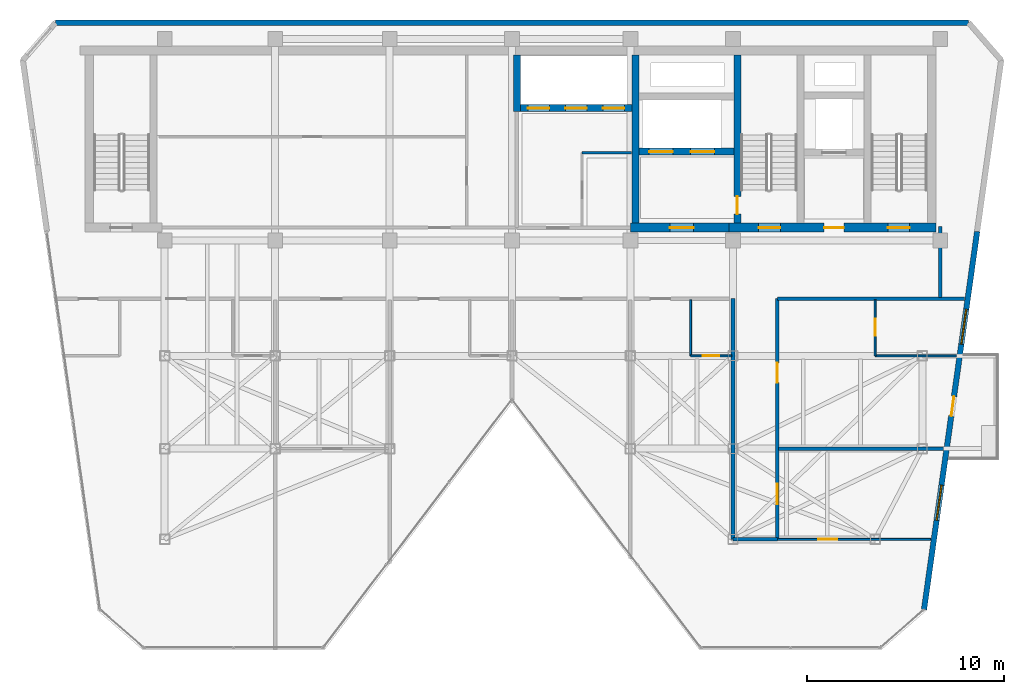
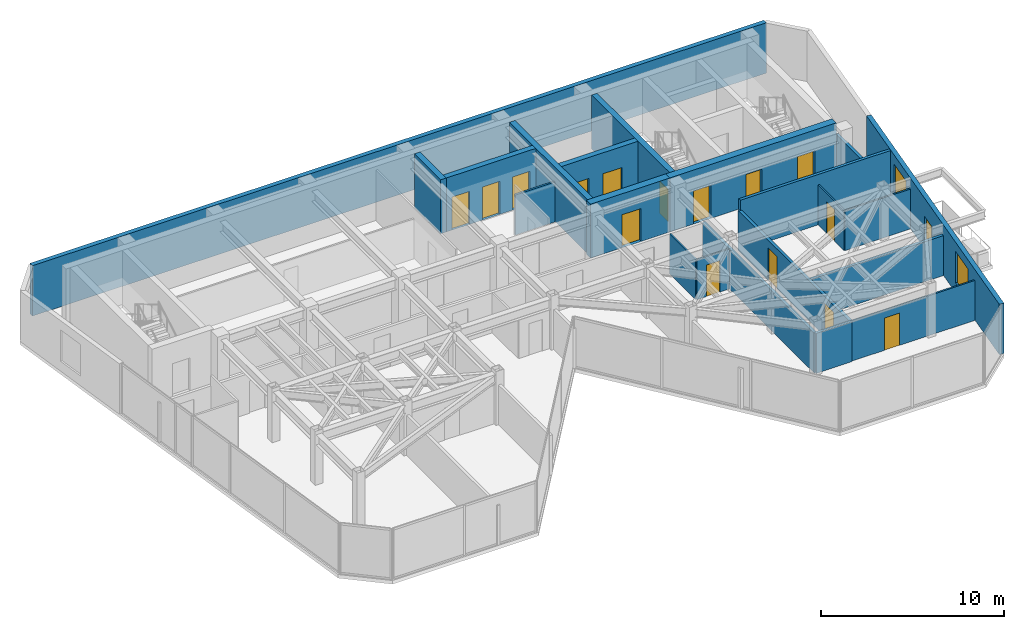
# One storey, part 17 of 20: 21 walls, 16 doors, 2 windows, 18 openings.
"""IFC4 building model written with IfcOpenShell, lengths in metres."""

from ifc_helpers import new_model, si_unit, direction, frame, frame_2d, origin, place, context, subcontext, project, spatial, rectangle, extrude, material, layer, layer_set, type_object, element, fill, save


model = new_model("IFC4")

# Units and contexts
model_context = context("Model", 3, precision=1e-05, world=origin(), true_north=direction((0.0, 1.0)))
body_context = subcontext(model_context, "Body", "Model", "MODEL_VIEW")
ifc_project = project(units=[si_unit("LENGTHUNIT", "METRE"), si_unit("AREAUNIT", "SQUARE_METRE"), si_unit("VOLUMEUNIT", "CUBIC_METRE"), si_unit("PLANEANGLEUNIT", "RADIAN"), si_unit("MASSUNIT", "GRAM", prefix="KILO")], contexts=[model_context])

# Site, building, storey
site_placement = place(None, origin())
site = spatial("IfcSite", under=ifc_project, at=site_placement, CompositionType="ELEMENT")
building_placement = place(site_placement, origin())
building = spatial("IfcBuilding", under=site, at=building_placement, Name="Kravanh Interchange Tower", CompositionType="ELEMENT")
storey_placement = place(building_placement, frame((0.0, 0.0, 234.60009765625)))
storey = spatial("IfcBuildingStorey", under=building, at=storey_placement, Name="L56", CompositionType="ELEMENT", Elevation=234.60009765625)

# Wall
ifc_material_1 = material(Name="Double Acoustic Gypsum Board and Mineral Wool")
ifc_layer_1 = layer(ifc_material_1, 0.1201171875)
ifc_layer_set_1 = layer_set([ifc_layer_1], Name="Acoustic Office Drywall Partition 120mm")
wall_type_1 = type_object("IfcWallType", Name="Acoustic Office Drywall Partition 120mm", PredefinedType="PARTITIONING", material=ifc_layer_set_1)
wall_1_placement = place(storey_placement, frame((48.35009765625, 41.800048828125, 0.0), z_axis=(0.0, 0.0, 1.0), x_axis=(1.0, 0.0, 0.0)))
element("IfcWall", 1, at=wall_1_placement, inside=storey, type_object=wall_type_1, Name="L56 Interior Partition 3", PredefinedType="PARTITIONING", context=body_context, shape_type="SweptSolid", body=[
    extrude(rectangle(XDim=2.5, YDim=0.1201171875, at=frame_2d((1.25, 0.0))), origin(), (0.0, 0.0, 1.0), 2.663818359375),
])

# Wall, opening, door
ifc_material_2 = material(Name="Concrete C60/75", Category="concrete")
ifc_layer_2 = layer(ifc_material_2, 0.35009765625)
ifc_layer_set_2 = layer_set([ifc_layer_2], Name="Core Shear Wall Concrete C60/75 350mm")
wall_type_2 = type_object("IfcWallType", Name="Core Shear Wall Concrete C60/75 350mm", PredefinedType="SHEAR", material=ifc_layer_set_2)
wall_2_placement = place(storey_placement, frame((56.22509765625, 38.22509765625, 0.0), z_axis=(0.0, 0.0, 1.0), x_axis=(0.0, 1.0, 0.0)))
wall_2 = element("IfcWall", 2, at=wall_2_placement, inside=storey, type_object=wall_type_2, Name="L56 Stair ST2 West Shear Wall", PredefinedType="SHEAR", context=body_context, shape_type="SweptSolid", body=[
    extrude(rectangle(XDim=8.52490234375, YDim=0.35009765625, at=frame_2d((4.262451171875, 0.0))), origin(), (0.0, 0.0, 1.0), 3.599853515625),
])
opening_1_placement = place(wall_2_placement, frame((0.455078125, 0.0, 0.0)))
opening_1 = element("IfcOpeningElement", 3, at=opening_1_placement, cuts=wall_2, Name="Opening D-STAIR-90", PredefinedType="OPENING", context=body_context, shape_type="SweptSolid", body=[
    extrude(rectangle(XDim=0.89990234375, YDim=2.14990234375, at=frame_2d((0.449951171875, 1.074951171875))), frame((0.0, 0.18505859375, 0.0), z_axis=(0.0, -1.0, 0.0), x_axis=(1.0, 0.0, 0.0)), (0.0, 0.0, 1.0), 0.3701171875),
])
ifc_material_3 = material(Name="Structural Steel S355", Category="steel")
door_type_1 = type_object("IfcDoorType", Name="Fire-Rated Stair Lobby Door 900x2150", OperationType="NOTDEFINED", PredefinedType="DOOR", material=ifc_material_3)
door_1_placement = place(opening_1_placement, origin())
door_1 = element("IfcDoor", 4, at=door_1_placement, inside=storey, type_object=door_type_1, Name="L56 Firefighting Lobby to Stair ST2 Door", OperationType="SINGLE_SWING_LEFT", OverallHeight=2.14990234375, OverallWidth=0.89990234375, PredefinedType="DOOR", context=body_context, shape_type="SweptSolid", body=[
    extrude(rectangle(XDim=0.89990234375, YDim=2.14990234375, at=frame_2d((0.449951171875, 1.074951171875))), frame((0.0, 0.02490234375, 0.0), z_axis=(0.0, -1.0, 0.0), x_axis=(1.0, 0.0, 0.0)), (0.0, 0.0, 1.0), 0.050048828125),
])
fill(opening_1, door_1)

# Wall, openings, doors
wall_3_placement = place(storey_placement, frame((51.22509765625, 41.85009765625, 0.0), z_axis=(0.0, 0.0, 1.0), x_axis=(1.0, 0.0, 0.0)))
wall_3 = element("IfcWall", 5, at=wall_3_placement, inside=storey, type_object=wall_type_2, Name="L56 Fire Lift Shaft South Wall", PredefinedType="SHEAR", context=body_context, shape_type="SweptSolid", body=[
    extrude(rectangle(XDim=4.824951171875, YDim=0.35009765625, at=frame_2d((2.41259765625, 0.0))), origin(), (0.0, 0.0, 1.0), 3.599853515625),
])
opening_2_placement = place(wall_3_placement, frame((0.52490234375, 0.0, 0.0)))
opening_2 = element("IfcOpeningElement", 6, at=opening_2_placement, cuts=wall_3, Name="Opening LD02", PredefinedType="OPENING", context=body_context, shape_type="SweptSolid", body=[
    extrude(rectangle(XDim=1.199951171875, YDim=2.199951171875, at=frame_2d((0.60009765625, 1.10009765625))), frame((0.0, 0.18505859375, 0.0), z_axis=(0.0, -1.0, 0.0), x_axis=(1.0, 0.0, 0.0)), (0.0, 0.0, 1.0), 0.3701171875),
])
opening_3_placement = place(wall_3_placement, frame((2.625, 0.0, 0.0)))
opening_3 = element("IfcOpeningElement", 7, at=opening_3_placement, cuts=wall_3, Name="Opening LD02", PredefinedType="OPENING", context=body_context, shape_type="SweptSolid", body=[
    extrude(rectangle(XDim=1.199951171875, YDim=2.199951171875, at=frame_2d((0.60009765625, 1.10009765625))), frame((0.0, 0.18505859375, 0.0), z_axis=(0.0, -1.0, 0.0), x_axis=(1.0, 0.0, 0.0)), (0.0, 0.0, 1.0), 0.3701171875),
])
ifc_material_4 = material(Name="Stainless Steel 316", Category="steel")
door_type_2 = type_object("IfcDoorType", Name="Fire and Service Lift Sliding Landing Door 1200x2200", OperationType="DOUBLE_DOOR_SLIDING", PredefinedType="DOOR", material=ifc_material_4)
door_2_placement = place(opening_2_placement, origin())
door_2 = element("IfcDoor", 8, at=door_2_placement, inside=storey, type_object=door_type_2, Name="L56 Lift FSAE-01 Landing Door", OperationType="DOUBLE_DOOR_SLIDING", OverallHeight=2.199951171875, OverallWidth=1.199951171875, PredefinedType="DOOR", context=body_context, shape_type="SweptSolid", body=[
    extrude(rectangle(XDim=1.199951171875, YDim=2.199951171875, at=frame_2d((0.60009765625, 1.10009765625))), frame((0.0, 0.02490234375, 0.0), z_axis=(0.0, -1.0, 0.0), x_axis=(1.0, 0.0, 0.0)), (0.0, 0.0, 1.0), 0.050048828125),
])
fill(opening_2, door_2)
door_3_placement = place(opening_3_placement, origin())
door_3 = element("IfcDoor", 9, at=door_3_placement, inside=storey, type_object=door_type_2, Name="L56 Lift FSAE-02 Landing Door", OperationType="DOUBLE_DOOR_SLIDING", OverallHeight=2.199951171875, OverallWidth=1.199951171875, PredefinedType="DOOR", context=body_context, shape_type="SweptSolid", body=[
    extrude(rectangle(XDim=1.199951171875, YDim=2.199951171875, at=frame_2d((0.60009765625, 1.10009765625))), frame((0.0, 0.02490234375, 0.0), z_axis=(0.0, -1.0, 0.0), x_axis=(1.0, 0.0, 0.0)), (0.0, 0.0, 1.0), 0.050048828125),
])
fill(opening_3, door_3)

# Wall
wall_4_placement = place(storey_placement, frame((51.050048828125, 38.22509765625, 0.0), z_axis=(0.0, 0.0, 1.0), x_axis=(0.0, 1.0, 0.0)))
element("IfcWall", 10, at=wall_4_placement, inside=storey, type_object=wall_type_2, Name="L56 Firefighting Lobby West Wall", PredefinedType="SHEAR", context=body_context, shape_type="SweptSolid", body=[
    extrude(rectangle(XDim=8.52490234375, YDim=0.35009765625, at=frame_2d((4.262451171875, 0.0))), origin(), (0.0, 0.0, 1.0), 3.599853515625),
])

# Wall, openings, doors
wall_5_placement = place(storey_placement, frame((45.22509765625, 44.050048828125, 0.0), z_axis=(0.0, 0.0, 1.0), x_axis=(1.0, 0.0, 0.0)))
wall_5 = element("IfcWall", 11, at=wall_5_placement, inside=storey, type_object=wall_type_2, Name="L56 High-Rise Lift Shaft South Wall", PredefinedType="SHEAR", context=body_context, shape_type="SweptSolid", body=[
    extrude(rectangle(XDim=5.64990234375, YDim=0.35009765625, at=frame_2d((2.824951171875, 0.0))), origin(), (0.0, 0.0, 1.0), 3.599853515625),
])
opening_4_placement = place(wall_5_placement, frame((0.375, 0.0, 0.0)))
opening_4 = element("IfcOpeningElement", 12, at=opening_4_placement, cuts=wall_5, Name="Opening LD01", PredefinedType="OPENING", context=body_context, shape_type="SweptSolid", body=[
    extrude(rectangle(XDim=1.10009765625, YDim=2.199951171875, at=frame_2d((0.550048828125, 1.10009765625))), frame((0.0, 0.18505859375, 0.0), z_axis=(0.0, -1.0, 0.0), x_axis=(1.0, 0.0, 0.0)), (0.0, 0.0, 1.0), 0.3701171875),
])
opening_5_placement = place(wall_5_placement, frame((2.27490234375, 0.0, 0.0)))
opening_5 = element("IfcOpeningElement", 13, at=opening_5_placement, cuts=wall_5, Name="Opening LD01", PredefinedType="OPENING", context=body_context, shape_type="SweptSolid", body=[
    extrude(rectangle(XDim=1.10009765625, YDim=2.199951171875, at=frame_2d((0.550048828125, 1.10009765625))), frame((0.0, 0.18505859375, 0.0), z_axis=(0.0, -1.0, 0.0), x_axis=(1.0, 0.0, 0.0)), (0.0, 0.0, 1.0), 0.3701171875),
])
opening_6_placement = place(wall_5_placement, frame((4.175048828125, 0.0, 0.0)))
opening_6 = element("IfcOpeningElement", 14, at=opening_6_placement, cuts=wall_5, Name="Opening LD01", PredefinedType="OPENING", context=body_context, shape_type="SweptSolid", body=[
    extrude(rectangle(XDim=1.10009765625, YDim=2.199951171875, at=frame_2d((0.550048828125, 1.10009765625))), frame((0.0, 0.18505859375, 0.0), z_axis=(0.0, -1.0, 0.0), x_axis=(1.0, 0.0, 0.0)), (0.0, 0.0, 1.0), 0.3701171875),
])
ifc_material_5 = material(Name="Stainless Steel 304", Category="steel")
door_type_3 = type_object("IfcDoorType", Name="Passenger Lift Sliding Landing Door 1100x2200", OperationType="DOUBLE_DOOR_SLIDING", PredefinedType="DOOR", material=ifc_material_5)
door_4_placement = place(opening_4_placement, origin())
door_4 = element("IfcDoor", 15, at=door_4_placement, inside=storey, type_object=door_type_3, Name="L56 Lift LP-H1 Landing Door", OperationType="DOUBLE_DOOR_SLIDING", OverallHeight=2.199951171875, OverallWidth=1.10009765625, PredefinedType="DOOR", context=body_context, shape_type="SweptSolid", body=[
    extrude(rectangle(XDim=1.10009765625, YDim=2.199951171875, at=frame_2d((0.550048828125, 1.10009765625))), frame((0.0, 0.02490234375, 0.0), z_axis=(0.0, -1.0, 0.0), x_axis=(1.0, 0.0, 0.0)), (0.0, 0.0, 1.0), 0.050048828125),
])
fill(opening_4, door_4)
door_5_placement = place(opening_5_placement, origin())
door_5 = element("IfcDoor", 16, at=door_5_placement, inside=storey, type_object=door_type_3, Name="L56 Lift LP-H2 Landing Door", OperationType="DOUBLE_DOOR_SLIDING", OverallHeight=2.199951171875, OverallWidth=1.10009765625, PredefinedType="DOOR", context=body_context, shape_type="SweptSolid", body=[
    extrude(rectangle(XDim=1.10009765625, YDim=2.199951171875, at=frame_2d((0.550048828125, 1.10009765625))), frame((0.0, 0.02490234375, 0.0), z_axis=(0.0, -1.0, 0.0), x_axis=(1.0, 0.0, 0.0)), (0.0, 0.0, 1.0), 0.050048828125),
])
fill(opening_5, door_5)
door_6_placement = place(opening_6_placement, origin())
door_6 = element("IfcDoor", 17, at=door_6_placement, inside=storey, type_object=door_type_3, Name="L56 Lift LP-H3 Landing Door", OperationType="DOUBLE_DOOR_SLIDING", OverallHeight=2.199951171875, OverallWidth=1.10009765625, PredefinedType="DOOR", context=body_context, shape_type="SweptSolid", body=[
    extrude(rectangle(XDim=1.10009765625, YDim=2.199951171875, at=frame_2d((0.550048828125, 1.10009765625))), frame((0.0, 0.02490234375, 0.0), z_axis=(0.0, -1.0, 0.0), x_axis=(1.0, 0.0, 0.0)), (0.0, 0.0, 1.0), 0.050048828125),
])
fill(opening_6, door_6)

# Wall
wall_6_placement = place(storey_placement, frame((45.050048828125, 43.875, 0.0), z_axis=(0.0, 0.0, 1.0), x_axis=(0.0, 1.0, 0.0)))
element("IfcWall", 18, at=wall_6_placement, inside=storey, type_object=wall_type_2, Name="L56 High-Rise Lift Shaft West Wall", PredefinedType="SHEAR", context=body_context, shape_type="SweptSolid", body=[
    extrude(rectangle(XDim=2.875, YDim=0.35009765625, at=frame_2d((1.4375, 0.0))), origin(), (0.0, 0.0, 1.0), 3.599853515625),
])

# Wall, openings, doors
ifc_material_6 = material(Name="Concrete C60/75", Category="concrete")
ifc_layer_3 = layer(ifc_material_6, 0.449951171875)
ifc_layer_set_3 = layer_set([ifc_layer_3], Name="Core Shear Wall Concrete C60/75 450mm")
wall_type_3 = type_object("IfcWallType", Name="Core Shear Wall Concrete C60/75 450mm", PredefinedType="SHEAR", material=ifc_layer_set_3)
wall_7_placement = place(storey_placement, frame((55.800048828125, 38.0, 0.0), z_axis=(0.0, 0.0, 1.0), x_axis=(1.0, 0.0, 0.0)))
wall_7 = element("IfcWall", 19, at=wall_7_placement, inside=storey, type_object=wall_type_3, Name="L56 East Core South Shear Wall", PredefinedType="SHEAR", context=body_context, shape_type="SweptSolid", body=[
    extrude(rectangle(XDim=10.5, YDim=0.449951171875, at=frame_2d((5.25, 0.0))), origin(), (0.0, 0.0, 1.0), 3.599853515625),
])
opening_7_placement = place(wall_7_placement, frame((1.5, 0.0, 0.0)))
opening_7 = element("IfcOpeningElement", 20, at=opening_7_placement, cuts=wall_7, Name="Opening D-STAIR-110", PredefinedType="OPENING", context=body_context, shape_type="SweptSolid", body=[
    extrude(rectangle(XDim=1.10009765625, YDim=2.199951171875, at=frame_2d((0.550048828125, 1.10009765625))), frame((0.0, 0.23486328125, 0.0), z_axis=(0.0, -1.0, 0.0), x_axis=(1.0, 0.0, 0.0)), (0.0, 0.0, 1.0), 0.469970703125),
])
opening_8_placement = place(wall_7_placement, frame((4.820068359375, 0.0, 0.0)))
opening_8 = element("IfcOpeningElement", 21, at=opening_8_placement, cuts=wall_7, Name="Opening D-HOTEL-100", PredefinedType="OPENING", context=body_context, shape_type="SweptSolid", body=[
    extrude(rectangle(XDim=1.0, YDim=2.14990234375, at=frame_2d((0.5, 1.074951171875))), frame((0.0, 0.23486328125, 0.0), z_axis=(0.0, -1.0, 0.0), x_axis=(1.0, 0.0, 0.0)), (0.0, 0.0, 1.0), 0.469970703125),
])
opening_9_placement = place(wall_7_placement, frame((8.050048828125, 0.0, 0.0)))
opening_9 = element("IfcOpeningElement", 22, at=opening_9_placement, cuts=wall_7, Name="Opening D-STAIR-110", PredefinedType="OPENING", context=body_context, shape_type="SweptSolid", body=[
    extrude(rectangle(XDim=1.10009765625, YDim=2.199951171875, at=frame_2d((0.550048828125, 1.10009765625))), frame((0.0, 0.23486328125, 0.0), z_axis=(0.0, -1.0, 0.0), x_axis=(1.0, 0.0, 0.0)), (0.0, 0.0, 1.0), 0.469970703125),
])
ifc_material_7 = material(Name="Structural Steel S355", Category="steel")
door_type_4 = type_object("IfcDoorType", Name="Fire-Rated Exit Stair Door 1100x2200", OperationType="NOTDEFINED", PredefinedType="DOOR", material=ifc_material_7)
door_7_placement = place(opening_7_placement, origin())
door_7 = element("IfcDoor", 23, at=door_7_placement, inside=storey, type_object=door_type_4, Name="L56 Exit Stair ST2 Door", OperationType="SINGLE_SWING_RIGHT", OverallHeight=2.199951171875, OverallWidth=1.10009765625, PredefinedType="DOOR", context=body_context, shape_type="SweptSolid", body=[
    extrude(rectangle(XDim=1.10009765625, YDim=2.199951171875, at=frame_2d((0.550048828125, 1.10009765625))), frame((0.0, 0.02490234375, 0.0), z_axis=(0.0, -1.0, 0.0), x_axis=(1.0, 0.0, 0.0)), (0.0, 0.0, 1.0), 0.050048828125),
])
fill(opening_7, door_7)
door_8_placement = place(opening_9_placement, origin())
door_8 = element("IfcDoor", 24, at=door_8_placement, inside=storey, type_object=door_type_4, Name="L56 Exit Stair ST1 Door", OperationType="SINGLE_SWING_RIGHT", OverallHeight=2.199951171875, OverallWidth=1.10009765625, PredefinedType="DOOR", context=body_context, shape_type="SweptSolid", body=[
    extrude(rectangle(XDim=1.10009765625, YDim=2.199951171875, at=frame_2d((0.550048828125, 1.10009765625))), frame((0.0, 0.02490234375, 0.0), z_axis=(0.0, -1.0, 0.0), x_axis=(1.0, 0.0, 0.0)), (0.0, 0.0, 1.0), 0.050048828125),
])
fill(opening_9, door_8)
ifc_material_8 = material(Name="Fire-Rated Solid Timber Leaf", Category="wood")
door_type_5 = type_object("IfcDoorType", Name="Fire-Rated Suite Entrance Door 1000x2150", OperationType="NOTDEFINED", PredefinedType="DOOR", material=ifc_material_8)
door_9_placement = place(opening_8_placement, origin())
door_9 = element("IfcDoor", 25, at=door_9_placement, inside=storey, type_object=door_type_5, Name="L56 Service Lift Lobby Door", OperationType="SINGLE_SWING_RIGHT", OverallHeight=2.14990234375, OverallWidth=1.0, PredefinedType="DOOR", context=body_context, shape_type="SweptSolid", body=[
    extrude(rectangle(XDim=1.0, YDim=2.14990234375, at=frame_2d((0.5, 1.074951171875))), frame((0.0, 0.02490234375, 0.0), z_axis=(0.0, -1.0, 0.0), x_axis=(1.0, 0.0, 0.0)), (0.0, 0.0, 1.0), 0.050048828125),
])
fill(opening_8, door_9)

# Wall, opening, door
wall_8_placement = place(storey_placement, frame((50.800048828125, 38.0, 0.0), z_axis=(0.0, 0.0, 1.0), x_axis=(1.0, 0.0, 0.0)))
wall_8 = element("IfcWall", 26, at=wall_8_placement, inside=storey, type_object=wall_type_3, Name="L56 Firefighting Lobby South Shear Wall", PredefinedType="SHEAR", context=body_context, shape_type="SweptSolid", body=[
    extrude(rectangle(XDim=5.0, YDim=0.449951171875, at=frame_2d((2.5, 0.0))), origin(), (0.0, 0.0, 1.0), 3.599853515625),
])
opening_10_placement = place(wall_8_placement, frame((2.0, 0.0, 0.0)))
opening_10 = element("IfcOpeningElement", 27, at=opening_10_placement, cuts=wall_8, Name="Opening D-FSAE-120", PredefinedType="OPENING", context=body_context, shape_type="SweptSolid", body=[
    extrude(rectangle(XDim=1.199951171875, YDim=2.199951171875, at=frame_2d((0.60009765625, 1.10009765625))), frame((0.0, 0.23486328125, 0.0), z_axis=(0.0, -1.0, 0.0), x_axis=(1.0, 0.0, 0.0)), (0.0, 0.0, 1.0), 0.469970703125),
])
ifc_material_9 = material(Name="Structural Steel S355", Category="steel")
door_type_6 = type_object("IfcDoorType", Name="Fire-Rated Refuge and FSAE Door 1200x2200", OperationType="NOTDEFINED", PredefinedType="DOOR", material=ifc_material_9)
door_10_placement = place(opening_10_placement, origin())
door_10 = element("IfcDoor", 28, at=door_10_placement, inside=storey, type_object=door_type_6, Name="L56 Firefighting Lobby Corridor Door", OperationType="SINGLE_SWING_RIGHT", OverallHeight=2.199951171875, OverallWidth=1.199951171875, PredefinedType="DOOR", context=body_context, shape_type="SweptSolid", body=[
    extrude(rectangle(XDim=1.199951171875, YDim=2.199951171875, at=frame_2d((0.60009765625, 1.10009765625))), frame((0.0, 0.02490234375, 0.0), z_axis=(0.0, -1.0, 0.0), x_axis=(1.0, 0.0, 0.0)), (0.0, 0.0, 1.0), 0.050048828125),
])
fill(opening_10, door_10)

ifc_material_10 = material(Name="Moisture-Resistant Gypsum Board and Mineral Wool")
ifc_layer_4 = layer(ifc_material_10, 0.10009765625)
ifc_layer_set_4 = layer_set([ifc_layer_4], Name="En-Suite Moisture-Resistant Partition 100mm")
wall_type_4 = type_object("IfcWallType", Name="En-Suite Moisture-Resistant Partition 100mm", PredefinedType="PARTITIONING", material=ifc_layer_set_4)
wall_9_placement = place(storey_placement, frame((58.25, 22.199951171875, 0.0), z_axis=(0.0, 0.0, 1.0), x_axis=(1.0, 0.0, 0.0)))
wall_9 = element("IfcWall", 29, at=wall_9_placement, inside=storey, type_object=wall_type_4, Name="L56 Interior Partition 18", PredefinedType="PARTITIONING", context=body_context, shape_type="SweptSolid", body=[
    extrude(rectangle(XDim=7.76611328125, YDim=0.10009765625, at=frame_2d((3.883056640625, 0.0))), origin(), (0.0, 0.0, 1.0), 2.663818359375),
])
opening_11_placement = place(wall_9_placement, frame((2.074951171875, 0.0, 0.0)))
opening_11 = element("IfcOpeningElement", 30, at=opening_11_placement, cuts=wall_9, Name="Opening D-95", PredefinedType="OPENING", context=body_context, shape_type="SweptSolid", body=[
    extrude(rectangle(XDim=0.949951171875, YDim=2.14990234375, at=frame_2d((0.47509765625, 1.074951171875))), frame((0.0, 0.06005859375, 0.0), z_axis=(0.0, -1.0, 0.0), x_axis=(1.0, 0.0, 0.0)), (0.0, 0.0, 1.0), 0.1201171875),
])
ifc_material_11 = material(Name="Laminate Solid-Core Timber", Category="wood")
door_type_7 = type_object("IfcDoorType", Name="Accessible Restroom Door 950x2150", OperationType="NOTDEFINED", PredefinedType="DOOR", material=ifc_material_11)
door_11_placement = place(opening_11_placement, origin())
door_11 = element("IfcDoor", 31, at=door_11_placement, inside=storey, type_object=door_type_7, Name="L56 SE Sunroom Inner Door", OperationType="SINGLE_SWING_LEFT", OverallHeight=2.14990234375, OverallWidth=0.949951171875, PredefinedType="DOOR", context=body_context, shape_type="SweptSolid", body=[
    extrude(rectangle(XDim=0.949951171875, YDim=2.14990234375, at=frame_2d((0.47509765625, 1.074951171875))), frame((0.0, 0.02490234375, 0.0), z_axis=(0.0, -1.0, 0.0), x_axis=(1.0, 0.0, 0.0)), (0.0, 0.0, 1.0), 0.050048828125),
])
fill(opening_11, door_11)

# Wall
wall_10_placement = place(storey_placement, frame((63.199951171875, 31.5, 0.0), z_axis=(0.0, 0.0, 1.0), x_axis=(1.0, 0.0, 0.0)))
element("IfcWall", 32, at=wall_10_placement, inside=storey, type_object=wall_type_4, Name="L56 Interior Partition 19", PredefinedType="PARTITIONING", context=body_context, shape_type="SweptSolid", body=[
    extrude(rectangle(XDim=4.123046875, YDim=0.10009765625, at=frame_2d((2.0615234375, 0.0))), origin(), (0.0, 0.0, 1.0), 2.663818359375),
])

# Wall, opening, door
wall_11_placement = place(storey_placement, frame((63.199951171875, 31.5, 0.0), z_axis=(0.0, 0.0, 1.0), x_axis=(0.0, 1.0, 0.0)))
wall_11 = element("IfcWall", 33, at=wall_11_placement, inside=storey, type_object=wall_type_4, Name="L56 Interior Partition 20", PredefinedType="PARTITIONING", context=body_context, shape_type="SweptSolid", body=[
    extrude(rectangle(XDim=2.83203125, YDim=0.10009765625, at=frame_2d((1.416015625, 0.0))), origin(), (0.0, 0.0, 1.0), 2.663818359375),
])
opening_12_placement = place(wall_11_placement, frame((1.02490234375, 0.0, 0.0)))
opening_12 = element("IfcOpeningElement", 34, at=opening_12_placement, cuts=wall_11, Name="Opening D-85", PredefinedType="OPENING", context=body_context, shape_type="SweptSolid", body=[
    extrude(rectangle(XDim=0.85009765625, YDim=2.10009765625, at=frame_2d((0.425048828125, 1.050048828125))), frame((0.0, 0.06005859375, 0.0), z_axis=(0.0, -1.0, 0.0), x_axis=(1.0, 0.0, 0.0)), (0.0, 0.0, 1.0), 0.1201171875),
])
ifc_material_12 = material(Name="Engineered Teak Veneer Timber", Category="wood")
door_type_8 = type_object("IfcDoorType", Name="En-Suite Timber Door 850x2100", OperationType="NOTDEFINED", PredefinedType="DOOR", material=ifc_material_12)
door_12_placement = place(opening_12_placement, origin())
door_12 = element("IfcDoor", 35, at=door_12_placement, inside=storey, type_object=door_type_8, Name="L56 En-suite Bathroom Door", OperationType="SINGLE_SWING_LEFT", OverallHeight=2.10009765625, OverallWidth=0.85009765625, PredefinedType="DOOR", context=body_context, shape_type="SweptSolid", body=[
    extrude(rectangle(XDim=0.85009765625, YDim=2.10009765625, at=frame_2d((0.425048828125, 1.050048828125))), frame((0.0, 0.02490234375, 0.0), z_axis=(0.0, -1.0, 0.0), x_axis=(1.0, 0.0, 0.0)), (0.0, 0.0, 1.0), 0.050048828125),
])
fill(opening_12, door_12)

# Wall
wall_12_placement = place(storey_placement, frame((53.85009765625, 31.5, 0.0), z_axis=(0.0, 0.0, 1.0), x_axis=(0.0, 1.0, 0.0)))
element("IfcWall", 36, at=wall_12_placement, inside=storey, type_object=wall_type_4, Name="L56 Interior Partition 30", PredefinedType="PARTITIONING", context=body_context, shape_type="SweptSolid", body=[
    extrude(rectangle(XDim=2.83203125, YDim=0.10009765625, at=frame_2d((1.416015625, 0.0))), origin(), (0.0, 0.0, 1.0), 2.663818359375),
])

# Wall, opening, door
wall_13_placement = place(storey_placement, frame((53.85009765625, 31.5, 0.0), z_axis=(0.0, 0.0, 1.0), x_axis=(1.0, 0.0, 0.0)))
wall_13 = element("IfcWall", 37, at=wall_13_placement, inside=storey, type_object=wall_type_4, Name="L56 Interior Partition 31", PredefinedType="PARTITIONING", context=body_context, shape_type="SweptSolid", body=[
    extrude(rectangle(XDim=2.081787109375, YDim=0.10009765625, at=frame_2d((1.041015625, 0.0))), origin(), (0.0, 0.0, 1.0), 2.663818359375),
])
opening_13_placement = place(wall_13_placement, frame((0.607421875, 0.0, 0.0)))
opening_13 = element("IfcOpeningElement", 38, at=opening_13_placement, cuts=wall_13, Name="Opening D-85", PredefinedType="OPENING", context=body_context, shape_type="SweptSolid", body=[
    extrude(rectangle(XDim=0.85009765625, YDim=2.10009765625, at=frame_2d((0.425048828125, 1.050048828125))), frame((0.0, 0.06005859375, 0.0), z_axis=(0.0, -1.0, 0.0), x_axis=(1.0, 0.0, 0.0)), (0.0, 0.0, 1.0), 0.1201171875),
])
door_13_placement = place(opening_13_placement, origin())
door_13 = element("IfcDoor", 39, at=door_13_placement, inside=storey, type_object=door_type_8, Name="L56 En-suite Bathroom Door", OperationType="SINGLE_SWING_RIGHT", OverallHeight=2.10009765625, OverallWidth=0.85009765625, PredefinedType="DOOR", context=body_context, shape_type="SweptSolid", body=[
    extrude(rectangle(XDim=0.85009765625, YDim=2.10009765625, at=frame_2d((0.425048828125, 1.050048828125))), frame((0.0, 0.02490234375, 0.0), z_axis=(0.0, -1.0, 0.0), x_axis=(1.0, 0.0, 0.0)), (0.0, 0.0, 1.0), 0.050048828125),
])
fill(opening_13, door_13)

# Wall
ifc_material_13 = material(Name="Insulated Precast Concrete C40/50 with Bronze Cladding", Category="concrete")
ifc_layer_5 = layer(ifc_material_13, 0.280029296875)
ifc_layer_set_5 = layer_set([ifc_layer_5], Name="Exterior Insulated Concrete C40/50 Bronze Spandrel Wall 280mm")
wall_type_5 = type_object("IfcWallType", Name="Exterior Insulated Concrete C40/50 Bronze Spandrel Wall 280mm", PredefinedType="STANDARD", material=ifc_layer_set_5)
wall_14_placement = place(storey_placement, frame((21.65478515625, 48.3798828125, 0.0), z_axis=(0.0, 0.0, 1.0), x_axis=(1.0, 0.0, 0.0)))
element("IfcWall", 40, at=wall_14_placement, inside=storey, type_object=wall_type_5, Name="L56 Exterior Wall 3", PredefinedType="STANDARD", context=body_context, shape_type="SweptSolid", body=[
    extrude(rectangle(XDim=46.29052734375, YDim=0.280029296875, at=frame_2d((23.145263671875, 0.0))), origin(), (0.0, 0.0, 1.0), 3.35986328125),
])

# Wall, openings, door, windows
wall_15_placement = place(storey_placement, frame((68.375, 37.800048828125, 0.0), z_axis=(0.0, 0.0, 1.0), x_axis=(-0.139164922175, -0.99026921816, 0.0)))
wall_15 = element("IfcWall", 41, at=wall_15_placement, inside=storey, type_object=wall_type_5, Name="L56 Exterior Wall 6", PredefinedType="STANDARD", context=body_context, shape_type="SweptSolid", body=[
    extrude(rectangle(XDim=19.3466796875, YDim=0.280029296875, at=frame_2d((9.67333984375, 0.0))), origin(), (0.0, 0.0, 1.0), 3.35986328125),
])
opening_14_placement = place(wall_15_placement, frame((8.440185546875, 0.0, 0.0)))
opening_14 = element("IfcOpeningElement", 42, at=opening_14_placement, cuts=wall_15, Name="Opening ED-BAL100", PredefinedType="OPENING", context=body_context, shape_type="SweptSolid", body=[
    extrude(rectangle(XDim=1.0, YDim=2.14990234375, at=frame_2d((0.5, 1.074951171875))), frame((0.0, 0.14990234375, 0.0), z_axis=(0.0, -1.0, 0.0), x_axis=(1.0, 0.0, 0.0)), (0.0, 0.0, 1.0), 0.300048828125),
])
opening_15_placement = place(wall_15_placement, frame((3.971435546875, 0.0, 0.64990234375)))
opening_15 = element("IfcOpeningElement", 43, at=opening_15_placement, cuts=wall_15, Name="Opening WN-180X210", PredefinedType="OPENING", context=body_context, shape_type="SweptSolid", body=[
    extrude(rectangle(XDim=1.800048828125, YDim=2.10009765625, at=frame_2d((0.89990234375, 1.050048828125))), frame((0.0, 0.14990234375, 0.0), z_axis=(0.0, -1.0, 0.0), x_axis=(1.0, 0.0, 0.0)), (0.0, 0.0, 1.0), 0.300048828125),
])
opening_16_placement = place(wall_15_placement, frame((12.97509765625, 0.0, 0.64990234375)))
opening_16 = element("IfcOpeningElement", 44, at=opening_16_placement, cuts=wall_15, Name="Opening WN-180X210", PredefinedType="OPENING", context=body_context, shape_type="SweptSolid", body=[
    extrude(rectangle(XDim=1.800048828125, YDim=2.10009765625, at=frame_2d((0.89990234375, 1.050048828125))), frame((0.0, 0.14990234375, 0.0), z_axis=(0.0, -1.0, 0.0), x_axis=(1.0, 0.0, 0.0)), (0.0, 0.0, 1.0), 0.300048828125),
])
ifc_material_14 = material(Name="Thermally Broken Bronze Aluminium and Laminated Glass", Category="aluminium")
door_type_9 = type_object("IfcDoorType", Name="Balcony Glazed Door 1000x2150", OperationType="NOTDEFINED", PredefinedType="DOOR", material=ifc_material_14)
door_14_placement = place(opening_14_placement, origin())
door_14 = element("IfcDoor", 45, at=door_14_placement, inside=storey, type_object=door_type_9, Name="L56 E Tree Balcony Access Door", OperationType="SINGLE_SWING_LEFT", OverallHeight=2.14990234375, OverallWidth=1.0, PredefinedType="DOOR", context=body_context, shape_type="SweptSolid", body=[
    extrude(rectangle(XDim=1.0, YDim=2.14990234375, at=frame_2d((0.5, 1.074951171875))), frame((0.0, 0.02490234375, 0.0), z_axis=(0.0, -1.0, 0.0), x_axis=(1.0, 0.0, 0.0)), (0.0, 0.0, 1.0), 0.050048828125),
])
fill(opening_14, door_14)
ifc_material_15 = material(Name="Thermally Broken Bronze Aluminium and Low-E Glass", Category="aluminium")
window_type = type_object("IfcWindowType", Name="Tower Pier Window 1800x2100", PartitioningType="SINGLE_PANEL", PredefinedType="WINDOW", material=ifc_material_15)
window_1_placement = place(opening_15_placement, origin())
window_1 = element("IfcWindow", 46, at=window_1_placement, inside=storey, type_object=window_type, Name="L56 Facade Window 6A", OverallHeight=2.10009765625, OverallWidth=1.800048828125, PartitioningType="SINGLE_PANEL", PredefinedType="WINDOW", context=body_context, shape_type="SweptSolid", body=[
    extrude(rectangle(XDim=1.800048828125, YDim=2.10009765625, at=frame_2d((0.89990234375, 1.050048828125))), frame((0.0, 0.030029296875, 0.0), z_axis=(0.0, -1.0, 0.0), x_axis=(1.0, 0.0, 0.0)), (0.0, 0.0, 1.0), 0.06005859375),
])
fill(opening_15, window_1)
window_2_placement = place(opening_16_placement, origin())
window_2 = element("IfcWindow", 47, at=window_2_placement, inside=storey, type_object=window_type, Name="L56 Facade Window 6B", OverallHeight=2.10009765625, OverallWidth=1.800048828125, PartitioningType="SINGLE_PANEL", PredefinedType="WINDOW", context=body_context, shape_type="SweptSolid", body=[
    extrude(rectangle(XDim=1.800048828125, YDim=2.10009765625, at=frame_2d((0.89990234375, 1.050048828125))), frame((0.0, 0.030029296875, 0.0), z_axis=(0.0, -1.0, 0.0), x_axis=(1.0, 0.0, 0.0)), (0.0, 0.0, 1.0), 0.06005859375),
])
fill(opening_16, window_2)

# Walls
ifc_material_16 = material(Name="Autoclaved Aerated Concrete C30/37 Blockwork", Category="masonry")
ifc_layer_6 = layer(ifc_material_16, 0.179931640625)
ifc_layer_set_6 = layer_set([ifc_layer_6], Name="Fire-Rated Lobby and Corridor Wall Concrete C30/37 180mm")
wall_type_6 = type_object("IfcWallType", Name="Fire-Rated Lobby and Corridor Wall Concrete C30/37 180mm", PredefinedType="STANDARD", material=ifc_layer_set_6)
wall_16_placement = place(storey_placement, frame((58.25, 34.39990234375, 0.0), z_axis=(0.0, 0.0, 1.0), x_axis=(1.0, 0.0, 0.0)))
element("IfcWall", 48, at=wall_16_placement, inside=storey, type_object=wall_type_6, Name="L56 Interior Partition 10", PredefinedType="STANDARD", context=body_context, shape_type="SweptSolid", body=[
    extrude(rectangle(XDim=9.480712890625, YDim=0.179931640625, at=frame_2d((4.740234375, 0.0))), origin(), (0.0, 0.0, 1.0), 3.35986328125),
])
wall_17_placement = place(storey_placement, frame((66.5, 34.468017578125, 0.0), z_axis=(0.0, 0.0, 1.0), x_axis=(0.0, 1.0, 0.0)))
element("IfcWall", 49, at=wall_17_placement, inside=storey, type_object=wall_type_6, Name="L56 Interior Partition 11", PredefinedType="STANDARD", context=body_context, shape_type="SweptSolid", body=[
    extrude(rectangle(XDim=3.58203125, YDim=0.179931640625, at=frame_2d((1.791015625, 0.0))), origin(), (0.0, 0.0, 1.0), 2.663818359375),
])
wall_18_placement = place(storey_placement, frame((56.0, 22.199951171875, 0.0), z_axis=(0.0, 0.0, 1.0), x_axis=(0.0, 1.0, 0.0)))
element("IfcWall", 50, at=wall_18_placement, inside=storey, type_object=wall_type_6, Name="L56 Interior Partition 12", PredefinedType="STANDARD", context=body_context, shape_type="SweptSolid", body=[
    extrude(rectangle(XDim=12.199951171875, YDim=0.179931640625, at=frame_2d((6.10009765625, 0.0))), origin(), (0.0, 0.0, 1.0), 2.663818359375),
])

# Wall, openings, doors
wall_19_placement = place(storey_placement, frame((58.25, 22.199951171875, 0.0), z_axis=(0.0, 0.0, 1.0), x_axis=(0.0, 1.0, 0.0)))
wall_19 = element("IfcWall", 51, at=wall_19_placement, inside=storey, type_object=wall_type_6, Name="L56 Interior Partition 13", PredefinedType="STANDARD", context=body_context, shape_type="SweptSolid", body=[
    extrude(rectangle(XDim=12.199951171875, YDim=0.179931640625, at=frame_2d((6.10009765625, 0.0))), origin(), (0.0, 0.0, 1.0), 2.663818359375),
])
opening_17_placement = place(wall_19_placement, frame((1.77490234375, 0.0, 0.0)))
opening_17 = element("IfcOpeningElement", 52, at=opening_17_placement, cuts=wall_19, Name="Opening D-105", PredefinedType="OPENING", context=body_context, shape_type="SweptSolid", body=[
    extrude(rectangle(XDim=1.050048828125, YDim=2.199951171875, at=frame_2d((0.52490234375, 1.10009765625))), frame((0.0, 0.10009765625, 0.0), z_axis=(0.0, -1.0, 0.0), x_axis=(1.0, 0.0, 0.0)), (0.0, 0.0, 1.0), 0.199951171875),
])
opening_18_placement = place(wall_19_placement, frame((7.93994140625, 0.0, 0.0)))
opening_18 = element("IfcOpeningElement", 53, at=opening_18_placement, cuts=wall_19, Name="Opening D-HOTEL-100", PredefinedType="OPENING", context=body_context, shape_type="SweptSolid", body=[
    extrude(rectangle(XDim=1.0, YDim=2.14990234375, at=frame_2d((0.5, 1.074951171875))), frame((0.0, 0.10009765625, 0.0), z_axis=(0.0, -1.0, 0.0), x_axis=(1.0, 0.0, 0.0)), (0.0, 0.0, 1.0), 0.199951171875),
])
door_15_placement = place(opening_18_placement, origin())
door_15 = element("IfcDoor", 54, at=door_15_placement, inside=storey, type_object=door_type_5, Name="L56 Hotel Guest Room East Entrance Door", OperationType="SINGLE_SWING_RIGHT", OverallHeight=2.14990234375, OverallWidth=1.0, PredefinedType="DOOR", context=body_context, shape_type="SweptSolid", body=[
    extrude(rectangle(XDim=1.0, YDim=2.14990234375, at=frame_2d((0.5, 1.074951171875))), frame((0.0, 0.02490234375, 0.0), z_axis=(0.0, -1.0, 0.0), x_axis=(1.0, 0.0, 0.0)), (0.0, 0.0, 1.0), 0.050048828125),
])
fill(opening_18, door_15)
ifc_material_17 = material(Name="Acoustic Glazed Oak and Aluminium", Category="aluminium")
door_type_10 = type_object("IfcDoorType", Name="Office Workplace Door 1050x2200", OperationType="NOTDEFINED", PredefinedType="DOOR", material=ifc_material_17)
door_16_placement = place(opening_17_placement, origin())
door_16 = element("IfcDoor", 55, at=door_16_placement, inside=storey, type_object=door_type_10, Name="L56 East Sky Salon Lounge Door", OperationType="SINGLE_SWING_RIGHT", OverallHeight=2.199951171875, OverallWidth=1.050048828125, PredefinedType="DOOR", context=body_context, shape_type="SweptSolid", body=[
    extrude(rectangle(XDim=1.050048828125, YDim=2.199951171875, at=frame_2d((0.52490234375, 1.10009765625))), frame((0.0, 0.02490234375, 0.0), z_axis=(0.0, -1.0, 0.0), x_axis=(1.0, 0.0, 0.0)), (0.0, 0.0, 1.0), 0.050048828125),
])
fill(opening_17, door_16)

# Walls
wall_20_placement = place(storey_placement, frame((56.0, 22.199951171875, 0.0), z_axis=(0.0, 0.0, 1.0), x_axis=(1.0, 0.0, 0.0)))
element("IfcWall", 56, at=wall_20_placement, inside=storey, type_object=wall_type_6, Name="L56 Interior Partition 14", PredefinedType="STANDARD", context=body_context, shape_type="SweptSolid", body=[
    extrude(rectangle(XDim=2.25, YDim=0.179931640625, at=frame_2d((1.125, 0.0))), origin(), (0.0, 0.0, 1.0), 2.663818359375),
])
wall_21_placement = place(storey_placement, frame((58.318115234375, 26.800048828125, 0.0), z_axis=(0.0, 0.0, 1.0), x_axis=(1.0, 0.0, 0.0)))
element("IfcWall", 57, at=wall_21_placement, inside=storey, type_object=wall_type_6, Name="L56 Interior Partition 17", PredefinedType="STANDARD", context=body_context, shape_type="SweptSolid", body=[
    extrude(rectangle(XDim=8.344482421875, YDim=0.179931640625, at=frame_2d((4.17236328125, 0.0))), origin(), (0.0, 0.0, 1.0), 2.663818359375),
])

save(model, "model.ifc")
